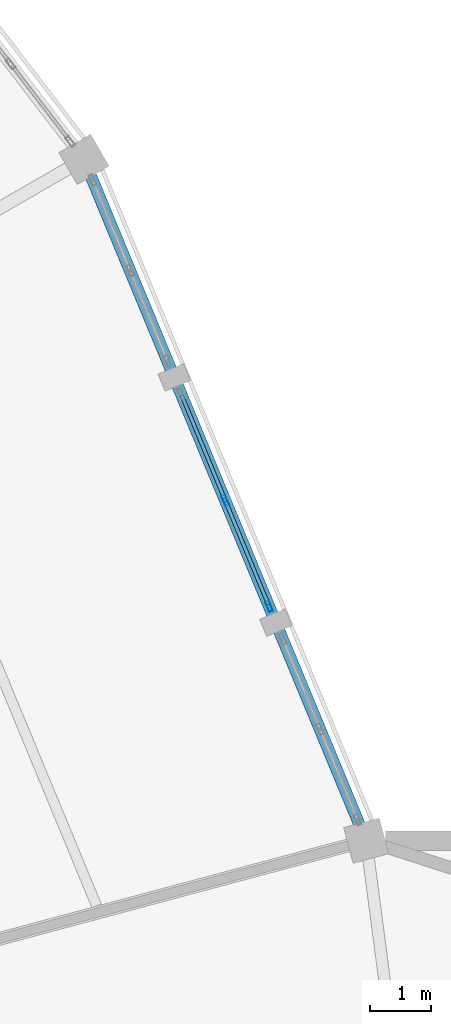
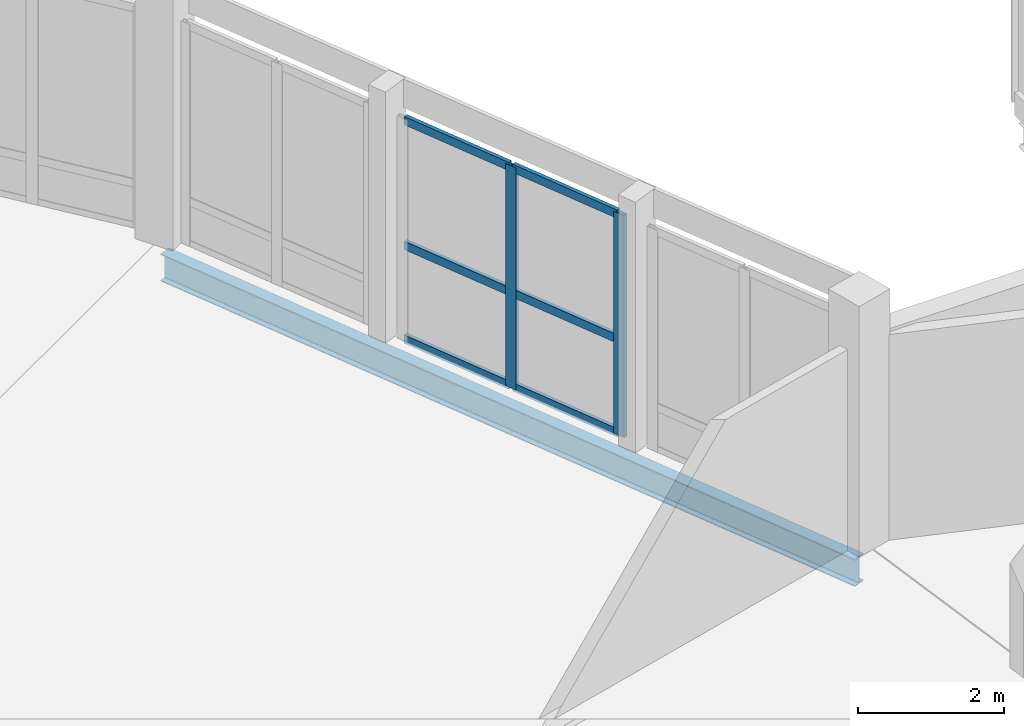
# One storey, part 115 of 170: 8 members, 1 beam, 1 element without a shape of its own.
"""IFC4 building model written with IfcOpenShell, lengths in metres."""

from ifc_helpers import new_model, si_unit, direction, frame, origin, origin_2d, place, context, subcontext, project, spatial, hollow_rectangle, i_section, extrude, material, material_profile, profile_set, type_object, element, aggregate, save


model = new_model("IFC4")

# Units and contexts
model_context = context("Model", 3, precision=1e-05, world=origin(), true_north=direction((0.0, 1.0)))
body_context = subcontext(model_context, "Body", "Model", "MODEL_VIEW")
ifc_project = project(units=[si_unit("LENGTHUNIT", "METRE"), si_unit("AREAUNIT", "SQUARE_METRE"), si_unit("VOLUMEUNIT", "CUBIC_METRE"), si_unit("PLANEANGLEUNIT", "RADIAN"), si_unit("MASSUNIT", "GRAM", prefix="KILO")], contexts=[model_context])

# Site, building, storey
site_placement = place(None, origin())
site = spatial("IfcSite", under=ifc_project, at=site_placement, CompositionType="ELEMENT")
building_placement = place(site_placement, origin())
building = spatial("IfcBuilding", under=site, at=building_placement, Name="Vondelvale Polytechnic", CompositionType="ELEMENT")
storey_placement = place(building_placement, frame((0.0, 0.0, 5.39990234375)))
storey = spatial("IfcBuildingStorey", under=building, at=storey_placement, Name="L01", CompositionType="ELEMENT", Elevation=5.39990234375)

# Beam
ifc_material_1 = material(Name="Steel 300PLUS (fy = 300 MPa)", Category="steel")
ifc_material_profile_1 = material_profile(ifc_material_1, i_section(OverallWidth=0.18994140625, OverallDepth=0.45703125, WebThickness=0.009033203125, FlangeThickness=0.014404296875, FilletRadius=0.011474609375, at=origin_2d()), Name="460UB74.6")
ifc_profile_set_1 = profile_set([ifc_material_profile_1], Name="Steel 300PLUS (fy = 300 MPa)")
beam_type = type_object("IfcBeamType", Name="BM-UB460", PredefinedType="BEAM", material=ifc_profile_set_1)
beam_placement = place(storey_placement, frame((146.4326171875, 83.90576171875, -0.50830078125), z_axis=(-0.382688765072, 0.923877323614, 0.0), x_axis=(-0.923877323614, -0.382688765072, 0.0)))
element("IfcBeam", 1, at=beam_placement, inside=storey, type_object=beam_type, Name="L01 RB B-13", PredefinedType="BEAM", context=body_context, shape_type="SweptSolid", body=[
    extrude(i_section(OverallWidth=0.18994140625, OverallDepth=0.45703125, WebThickness=0.009033203125, FlangeThickness=0.014404296875, FilletRadius=0.011474609375, at=origin_2d()), origin(), (0.0, 0.0, 1.0), 12.00830078125),
])

# Curtain wall, members
ifc_material_2 = material(Name="Glulam GL18 structural Tasmanian oak (fb = 42 MPa)", Category="wood")
curtain_wall_type = type_object("IfcCurtainWallType", Name="CW-RING-OUTER", PredefinedType="NOTDEFINED", material=ifc_material_2)
curtain_wall_placement = place(storey_placement, origin())
curtain_wall = element("IfcCurtainWall", 2, at=curtain_wall_placement, inside=storey, type_object=curtain_wall_type, Name="L01 architectural curtain wall CW-04-079", PredefinedType="NOTDEFINED")
ifc_material_3 = material(Name="Anodised extruded aluminium 6063-T6", Category="aluminium")
ifc_material_profile_2 = material_profile(ifc_material_3, hollow_rectangle(XDim=0.06494140625, YDim=0.179931640625, WallThickness=0.00390625, at=origin_2d()), Name="CW-MUL-180x65")
ifc_profile_set_2 = profile_set([ifc_material_profile_2], Name="Anodised extruded aluminium 6063-T6")
member_type_1 = type_object("IfcMemberType", Name="CW-MUL-65x180", PredefinedType="MULLION", material=ifc_profile_set_2)
member_1_placement = place(storey_placement, frame((144.85205078125, 87.721435546875, 0.0), z_axis=(0.0, 0.0, 1.0), x_axis=(-0.92387490701, -0.382694599123, 0.0)))
member_1 = element("IfcMember", 3, at=member_1_placement, type_object=member_type_1, Name="CW-04-079 mullion 1", PredefinedType="MULLION", context=body_context, shape_type="SweptSolid", body=[
    extrude(hollow_rectangle(XDim=0.06494140625, YDim=0.179931640625, WallThickness=0.00390625, at=origin_2d()), origin(), (0.0, 0.0, 1.0), 3.72021484375),
])
member_2_placement = place(storey_placement, frame((144.135009765625, 89.452880859375, 0.0), z_axis=(0.0, 0.0, 1.0), x_axis=(-0.92387490701, -0.382694599123, 0.0)))
member_2 = element("IfcMember", 4, at=member_2_placement, type_object=member_type_1, Name="CW-04-079 mullion 2", PredefinedType="MULLION", context=body_context, shape_type="SweptSolid", body=[
    extrude(hollow_rectangle(XDim=0.06494140625, YDim=0.179931640625, WallThickness=0.00390625, at=origin_2d()), origin(), (0.0, 0.0, 1.0), 3.72021484375),
])
ifc_material_profile_3 = material_profile(ifc_material_3, hollow_rectangle(XDim=0.06005859375, YDim=0.139892578125, WallThickness=0.00341796875, at=origin_2d()), Name="CW-TRN-140x60")
ifc_profile_set_3 = profile_set([ifc_material_profile_3], Name="Anodised extruded aluminium 6063-T6")
member_type_2 = type_object("IfcMemberType", Name="CW-TRN-60x140", PredefinedType="USERDEFINED", material=ifc_profile_set_3)
member_3_placement = place(storey_placement, frame((144.839599609375, 87.75146484375, 0.030029296875), z_axis=(-0.382717291485, 0.923865506878, 0.0), x_axis=(-0.923865506878, -0.382717291485, 0.0)))
member_3 = element("IfcMember", 5, at=member_3_placement, type_object=member_type_2, Name="CW-04-079 transom 1.1", ObjectType="TRANSOM", PredefinedType="USERDEFINED", context=body_context, shape_type="SweptSolid", body=[
    extrude(hollow_rectangle(XDim=0.06005859375, YDim=0.139892578125, WallThickness=0.00341796875, at=origin_2d()), origin(), (0.0, 0.0, 1.0), 1.80908203125),
])
member_4_placement = place(storey_placement, frame((144.839599609375, 87.75146484375, 1.60009765625), z_axis=(-0.382717291485, 0.923865506878, 0.0), x_axis=(-0.923865506878, -0.382717291485, 0.0)))
member_4 = element("IfcMember", 6, at=member_4_placement, type_object=member_type_2, Name="CW-04-079 transom 1.2", ObjectType="TRANSOM", PredefinedType="USERDEFINED", context=body_context, shape_type="SweptSolid", body=[
    extrude(hollow_rectangle(XDim=0.06005859375, YDim=0.139892578125, WallThickness=0.00341796875, at=origin_2d()), origin(), (0.0, 0.0, 1.0), 1.80908203125),
])
member_5_placement = place(storey_placement, frame((144.839599609375, 87.75146484375, 3.690185546875), z_axis=(-0.382717291485, 0.923865506878, 0.0), x_axis=(-0.923865506878, -0.382717291485, 0.0)))
member_5 = element("IfcMember", 7, at=member_5_placement, type_object=member_type_2, Name="CW-04-079 transom 1.3", ObjectType="TRANSOM", PredefinedType="USERDEFINED", context=body_context, shape_type="SweptSolid", body=[
    extrude(hollow_rectangle(XDim=0.06005859375, YDim=0.139892578125, WallThickness=0.00341796875, at=origin_2d()), origin(), (0.0, 0.0, 1.0), 1.80908203125),
])
member_6_placement = place(storey_placement, frame((144.12255859375, 89.48291015625, 0.030029296875), z_axis=(-0.382765012338, 0.92384573676, 0.0), x_axis=(-0.92384573676, -0.382765012338, 0.0)))
member_6 = element("IfcMember", 8, at=member_6_placement, type_object=member_type_2, Name="CW-04-079 transom 2.1", ObjectType="TRANSOM", PredefinedType="USERDEFINED", context=body_context, shape_type="SweptSolid", body=[
    extrude(hollow_rectangle(XDim=0.06005859375, YDim=0.139892578125, WallThickness=0.00341796875, at=origin_2d()), origin(), (0.0, 0.0, 1.0), 1.808837890625),
])
member_7_placement = place(storey_placement, frame((144.12255859375, 89.48291015625, 1.60009765625), z_axis=(-0.382765012338, 0.92384573676, 0.0), x_axis=(-0.92384573676, -0.382765012338, 0.0)))
member_7 = element("IfcMember", 9, at=member_7_placement, type_object=member_type_2, Name="CW-04-079 transom 2.2", ObjectType="TRANSOM", PredefinedType="USERDEFINED", context=body_context, shape_type="SweptSolid", body=[
    extrude(hollow_rectangle(XDim=0.06005859375, YDim=0.139892578125, WallThickness=0.00341796875, at=origin_2d()), origin(), (0.0, 0.0, 1.0), 1.808837890625),
])
member_8_placement = place(storey_placement, frame((144.12255859375, 89.48291015625, 3.690185546875), z_axis=(-0.382765012338, 0.92384573676, 0.0), x_axis=(-0.92384573676, -0.382765012338, 0.0)))
member_8 = element("IfcMember", 10, at=member_8_placement, type_object=member_type_2, Name="CW-04-079 transom 2.3", ObjectType="TRANSOM", PredefinedType="USERDEFINED", context=body_context, shape_type="SweptSolid", body=[
    extrude(hollow_rectangle(XDim=0.06005859375, YDim=0.139892578125, WallThickness=0.00341796875, at=origin_2d()), origin(), (0.0, 0.0, 1.0), 1.808837890625),
])
aggregate(curtain_wall, [member_1, member_2, member_3, member_4, member_5, member_6, member_7, member_8])

save(model, "model.ifc")
